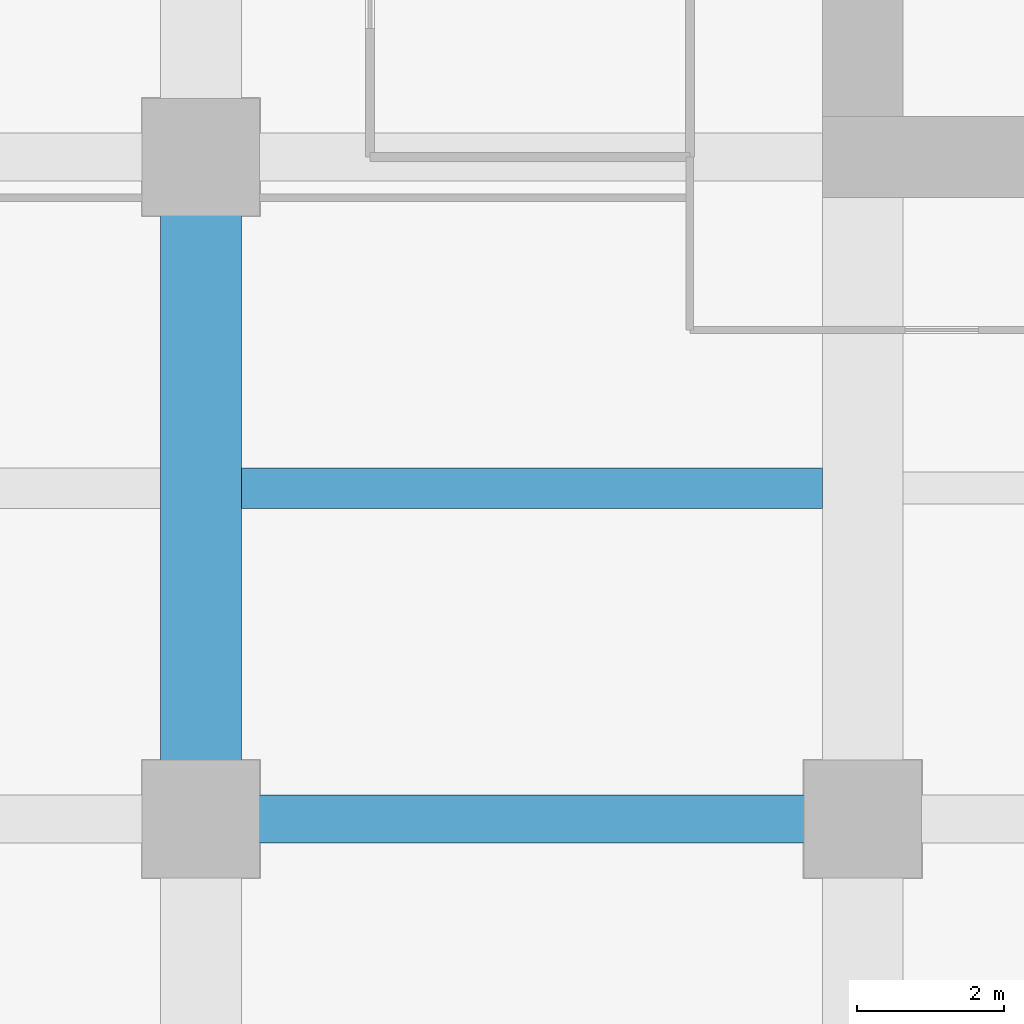
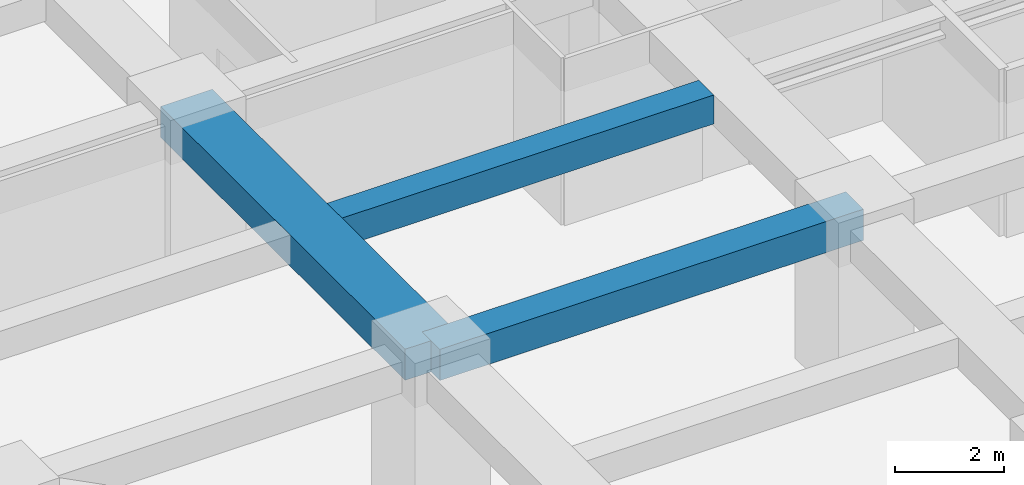
# One storey, part 5 of 33: 3 beams.
"""IFC4 building model written with IfcOpenShell, lengths in metres."""

from ifc_helpers import new_model, si_unit, direction, frame, origin, origin_2d, place, context, subcontext, project, spatial, rectangle, extrude, material, material_profile, profile_set, type_object, element, save


model = new_model("IFC4")

# Units and contexts
model_context = context("Model", 3, precision=1e-05, world=origin(), true_north=direction((0.0, 1.0)))
body_context = subcontext(model_context, "Body", "Model", "MODEL_VIEW")
ifc_project = project(units=[si_unit("LENGTHUNIT", "METRE"), si_unit("AREAUNIT", "SQUARE_METRE"), si_unit("VOLUMEUNIT", "CUBIC_METRE"), si_unit("PLANEANGLEUNIT", "RADIAN"), si_unit("MASSUNIT", "GRAM", prefix="KILO")], contexts=[model_context])

# Site, building, storey
site_placement = place(None, origin())
site = spatial("IfcSite", under=ifc_project, at=site_placement, CompositionType="ELEMENT")
building_placement = place(site_placement, origin())
building = spatial("IfcBuilding", under=site, at=building_placement, Name="Zorevar Civic Tower", CompositionType="ELEMENT")
storey_placement = place(building_placement, frame((0.0, 0.0, 194.199951171875)))
storey = spatial("IfcBuildingStorey", under=building, at=storey_placement, Name="L47", CompositionType="ELEMENT", Elevation=194.199951171875)

# Beams
ifc_material_1 = material(Name="Concrete C50/60", Category="concrete")
ifc_material_profile_1 = material_profile(ifc_material_1, rectangle(XDim=1.10009765625, YDim=0.699951171875, at=origin_2d()), Name="RC 1100x700")
ifc_profile_set_1 = profile_set([ifc_material_profile_1], Name="Concrete C50/60")
beam_type_1 = type_object("IfcBeamType", Name="Beam RC 1100x700", PredefinedType="BEAM", material=ifc_profile_set_1)
beam_1_placement = place(storey_placement, frame((9.0, 9.0, 3.400146484375), z_axis=(0.0, 1.0, 0.0), x_axis=(-1.0, 0.0, 0.0)))
element("IfcBeam", 1, at=beam_1_placement, inside=storey, type_object=beam_type_1, Name="Girder L48", PredefinedType="BEAM", context=body_context, shape_type="SweptSolid", body=[
    extrude(rectangle(XDim=1.10009765625, YDim=0.699951171875, at=origin_2d()), origin(), (0.0, 0.0, 1.0), 9.0),
])
ifc_material_2 = material(Name="Concrete C50/60", Category="concrete")
ifc_material_profile_2 = material_profile(ifc_material_2, rectangle(XDim=0.550048828125, YDim=0.64990234375, at=origin_2d()), Name="RC 550x650")
ifc_profile_set_2 = profile_set([ifc_material_profile_2], Name="Concrete C50/60")
beam_type_2 = type_object("IfcBeamType", Name="Beam RC 550x650", PredefinedType="BEAM", material=ifc_profile_set_2)
beam_2_placement = place(storey_placement, frame((9.550048828125, 13.5, 3.425048828125), z_axis=(1.0, 0.0, 0.0), x_axis=(0.0, 1.0, 0.0)))
element("IfcBeam", 2, at=beam_2_placement, inside=storey, type_object=beam_type_2, Name="Secondary beam L48", PredefinedType="BEAM", context=body_context, shape_type="SweptSolid", body=[
    extrude(rectangle(XDim=0.550048828125, YDim=0.64990234375, at=origin_2d()), origin(), (0.0, 0.0, 1.0), 7.89990234375),
])
ifc_material_3 = material(Name="Concrete C50/60", Category="concrete")
ifc_material_profile_3 = material_profile(ifc_material_3, rectangle(XDim=0.64990234375, YDim=0.699951171875, at=origin_2d()), Name="RC 650x700")
ifc_profile_set_3 = profile_set([ifc_material_profile_3], Name="Concrete C50/60")
beam_type_3 = type_object("IfcBeamType", Name="Beam RC 650x700", PredefinedType="BEAM", material=ifc_profile_set_3)
beam_3_placement = place(storey_placement, frame((9.0, 9.0, 3.400146484375), z_axis=(1.0, 0.0, 0.0), x_axis=(0.0, 1.0, 0.0)))
element("IfcBeam", 3, at=beam_3_placement, inside=storey, type_object=beam_type_3, Name="Girder L48", PredefinedType="BEAM", context=body_context, shape_type="SweptSolid", body=[
    extrude(rectangle(XDim=0.64990234375, YDim=0.699951171875, at=origin_2d()), origin(), (0.0, 0.0, 1.0), 9.0),
])

save(model, "model.ifc")
